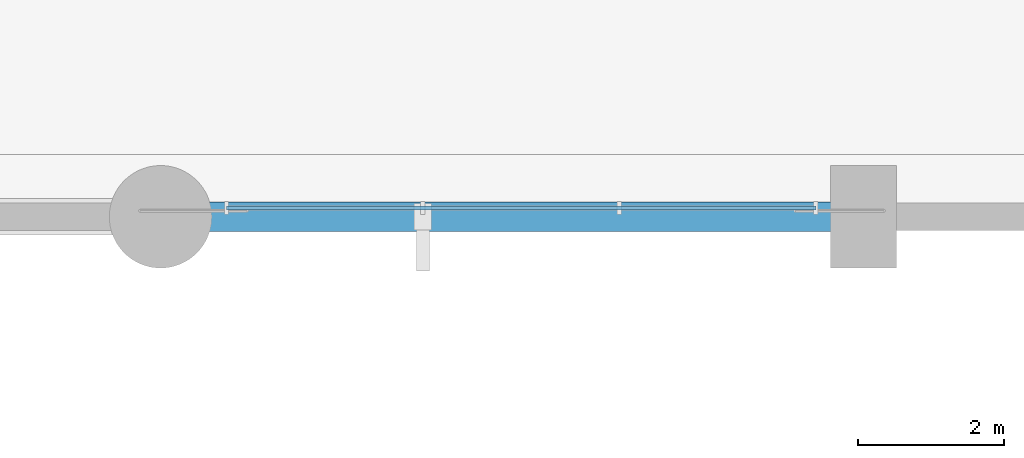
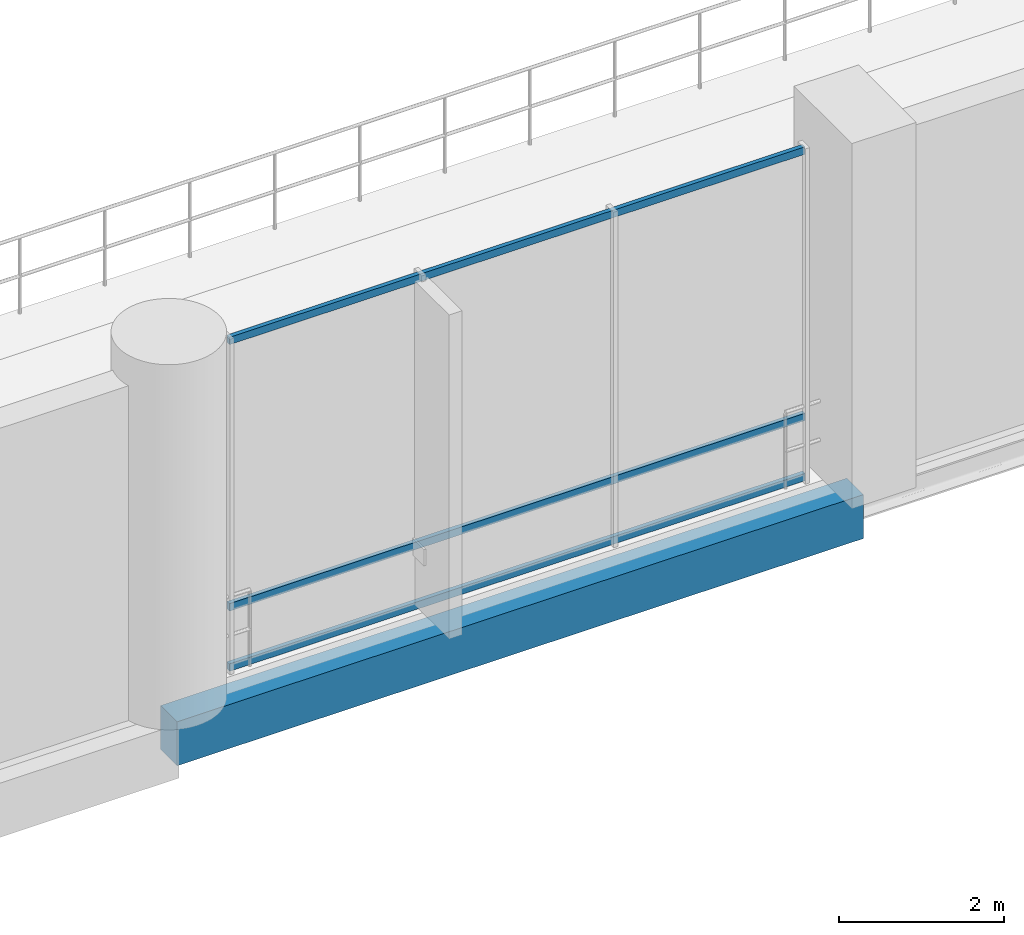
# One storey, part 36 of 129: 3 members, 1 beam, 1 element without a shape of its own.
"""IFC4 building model written with IfcOpenShell, lengths in metres."""

from ifc_helpers import new_model, si_unit, direction, frame, origin, origin_2d, place, context, subcontext, project, spatial, rectangle, extrude, material, material_profile, profile_set, type_object, element, aggregate, save


model = new_model("IFC4")

# Units and contexts
model_context = context("Model", 3, precision=1e-05, world=origin(), true_north=direction((0.0, 1.0)))
body_context = subcontext(model_context, "Body", "Model", "MODEL_VIEW")
ifc_project = project(units=[si_unit("LENGTHUNIT", "METRE"), si_unit("AREAUNIT", "SQUARE_METRE"), si_unit("VOLUMEUNIT", "CUBIC_METRE"), si_unit("PLANEANGLEUNIT", "RADIAN"), si_unit("MASSUNIT", "GRAM", prefix="KILO")], contexts=[model_context])

# Site, building, storey
site_placement = place(None, origin())
site = spatial("IfcSite", under=ifc_project, at=site_placement, CompositionType="ELEMENT")
building_placement = place(site_placement, origin())
building = spatial("IfcBuilding", under=site, at=building_placement, Name="Danafjord Basin Convention Centre", CompositionType="ELEMENT")
storey_placement = place(building_placement, frame((0.0, 0.0, 6.0)))
storey = spatial("IfcBuildingStorey", under=building, at=storey_placement, Name="L01", CompositionType="ELEMENT", Elevation=6.0)

# Beam
ifc_material_1 = material(Name="Precast concrete C45/55", Category="concrete")
ifc_material_profile_1 = material_profile(ifc_material_1, rectangle(XDim=0.39990234375, YDim=0.64990234375, at=origin_2d()), Name="PCB 400x650")
ifc_profile_set_1 = profile_set([ifc_material_profile_1], Name="Precast concrete C45/55")
beam_type = type_object("IfcBeamType", Name="BEAM-SP-PCB650", PredefinedType="SPANDREL", material=ifc_profile_set_1)
beam_placement = place(storey_placement, frame((57.60009765625, 56.0, -0.574951171875), z_axis=(1.0, 0.0, 0.0), x_axis=(0.0, 1.0, 0.0)))
element("IfcBeam", 1, at=beam_placement, inside=storey, type_object=beam_type, Name="L01 girder SP-PCB650", PredefinedType="SPANDREL", context=body_context, shape_type="SweptSolid", body=[
    extrude(rectangle(XDim=0.39990234375, YDim=0.64990234375, at=origin_2d()), origin(), (0.0, 0.0, 1.0), 9.599853515625),
])

# Curtain wall, members
ifc_material_2 = material(Name="Anodised aluminium and triple glazing", Category="aluminium")
curtain_wall_type = type_object("IfcCurtainWallType", Name="CW-CW-HALL", PredefinedType="NOTDEFINED", material=ifc_material_2)
curtain_wall_placement = place(storey_placement, origin())
curtain_wall = element("IfcCurtainWall", 2, at=curtain_wall_placement, inside=storey, type_object=curtain_wall_type, Name="L01 CW-HALL unitised curtain wall bay 6", PredefinedType="NOTDEFINED")
ifc_material_3 = material(Name="Anodised aluminium EN AW-6060", Category="aluminium")
ifc_material_profile_2 = material_profile(ifc_material_3, rectangle(XDim=0.06005859375, YDim=0.110107421875, at=origin_2d()), Name="TRAN 60x110")
ifc_profile_set_2 = profile_set([ifc_material_profile_2], Name="Anodised aluminium EN AW-6060")
member_type = type_object("IfcMemberType", Name="MEM-TR-110", PredefinedType="USERDEFINED", material=ifc_profile_set_2)
member_1_placement = place(storey_placement, frame((58.5, 56.1201171875, 0.06005859375), z_axis=(1.0, 0.0, 0.0), x_axis=(0.0, 1.0, 0.0)))
member_1 = element("IfcMember", 3, at=member_1_placement, type_object=member_type, Name="CW-L01-006 transom 1", ObjectType="TRANSOM", PredefinedType="USERDEFINED", context=body_context, shape_type="SweptSolid", body=[
    extrude(rectangle(XDim=0.06005859375, YDim=0.110107421875, at=origin_2d()), origin(), (0.0, 0.0, 1.0), 8.050048828125),
])
member_2_placement = place(storey_placement, frame((58.5, 56.1201171875, 0.949951171875), z_axis=(1.0, 0.0, 0.0), x_axis=(0.0, 1.0, 0.0)))
member_2 = element("IfcMember", 4, at=member_2_placement, type_object=member_type, Name="CW-L01-006 transom 2", ObjectType="TRANSOM", PredefinedType="USERDEFINED", context=body_context, shape_type="SweptSolid", body=[
    extrude(rectangle(XDim=0.06005859375, YDim=0.110107421875, at=origin_2d()), origin(), (0.0, 0.0, 1.0), 8.050048828125),
])
member_3_placement = place(storey_placement, frame((58.5, 56.1201171875, 4.889892578125), z_axis=(1.0, 0.0, 0.0), x_axis=(0.0, 1.0, 0.0)))
member_3 = element("IfcMember", 5, at=member_3_placement, type_object=member_type, Name="CW-L01-006 transom 3", ObjectType="TRANSOM", PredefinedType="USERDEFINED", context=body_context, shape_type="SweptSolid", body=[
    extrude(rectangle(XDim=0.06005859375, YDim=0.110107421875, at=origin_2d()), origin(), (0.0, 0.0, 1.0), 8.050048828125),
])
aggregate(curtain_wall, [member_1, member_2, member_3])

save(model, "model.ifc")
